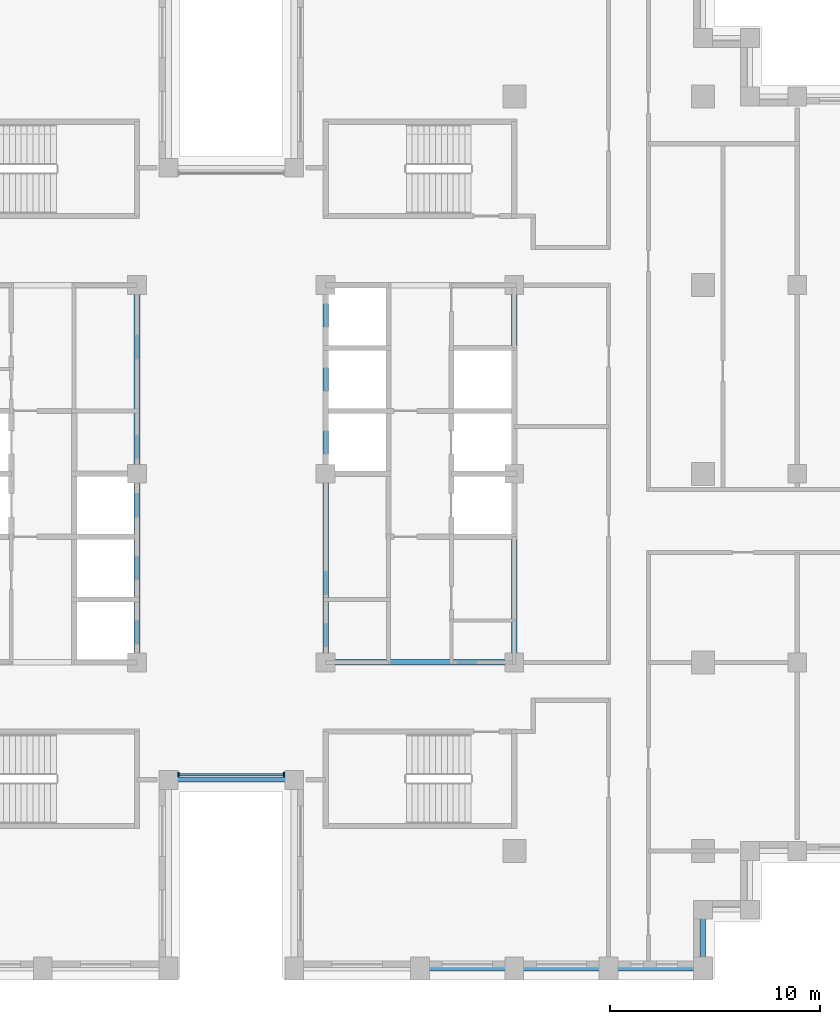
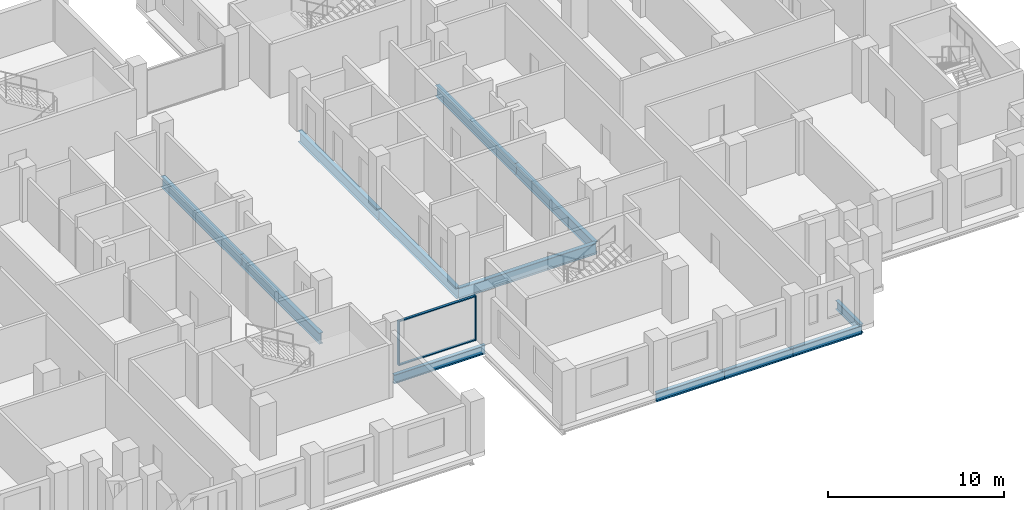
# One storey, part 2 of 16: 12 beams, 4 members, 1 element without a shape of its own.
"""IFC4 building model written with IfcOpenShell, lengths in metres."""

from ifc_helpers import new_model, si_unit, direction, frame, origin, origin_2d, place, context, subcontext, project, spatial, rectangle, i_section, extrude, material, layer, layer_set, material_profile, profile_set, type_object, element, aggregate, save


model = new_model("IFC4")

# Units and contexts
model_context = context("Model", 3, precision=1e-05, world=origin(), true_north=direction((0.0, 1.0)))
body_context = subcontext(model_context, "Body", "Model", "MODEL_VIEW")
ifc_project = project(units=[si_unit("LENGTHUNIT", "METRE"), si_unit("AREAUNIT", "SQUARE_METRE"), si_unit("VOLUMEUNIT", "CUBIC_METRE"), si_unit("PLANEANGLEUNIT", "RADIAN"), si_unit("MASSUNIT", "GRAM", prefix="KILO")], contexts=[model_context])

# Site, building, storey
site_placement = place(None, origin())
site = spatial("IfcSite", under=ifc_project, at=site_placement, CompositionType="ELEMENT")
building_placement = place(site_placement, origin())
building = spatial("IfcBuilding", under=site, at=building_placement, Name="Corbelhall Arena Tower", CompositionType="ELEMENT")
storey_placement = place(building_placement, frame((0.0, 0.0, 158.0)))
storey = spatial("IfcBuildingStorey", under=building, at=storey_placement, Name="L31", CompositionType="ELEMENT", Elevation=158.0)

# Curtain wall, members
ifc_material_1 = material(Name="Aluminium black anodised", Category="aluminium")
ifc_layer = layer(ifc_material_1, 0.199951171875)
ifc_layer_set = layer_set([ifc_layer], Name="EV-CW1 Slot back wall")
curtain_wall_type = type_object("IfcCurtainWallType", Name="EV-CW1 Slot back wall", PredefinedType="NOTDEFINED", material=ifc_layer_set)
curtain_wall_placement = place(storey_placement, origin())
curtain_wall = element("IfcCurtainWall", 1, at=curtain_wall_placement, inside=storey, type_object=curtain_wall_type, Name="Curtain wall CW1", PredefinedType="NOTDEFINED")
ifc_material_profile_1 = material_profile(ifc_material_1, rectangle(XDim=0.199951171875, YDim=0.074951171875, at=origin_2d()))
ifc_profile_set_1 = profile_set([ifc_material_profile_1], Name="Aluminium black anodised")
member_type_1 = type_object("IfcMemberType", Name="EV-CW1-MULLION", PredefinedType="MULLION", material=ifc_profile_set_1)
member_1_placement = place(storey_placement, frame((-2.512451171875, -14.35009765625, 0.0), z_axis=(0.0, 0.0, 1.0), x_axis=(0.0, 1.0, 0.0)))
member_1 = element("IfcMember", 2, at=member_1_placement, type_object=member_type_1, Name="CW1 mullion 1", PredefinedType="MULLION", context=body_context, shape_type="SweptSolid", body=[
    extrude(rectangle(XDim=0.199951171875, YDim=0.074951171875, at=origin_2d()), origin(), (0.0, 0.0, 1.0), 3.10009765625),
])
member_2_placement = place(storey_placement, frame((2.512451171875, -14.35009765625, 0.0), z_axis=(0.0, 0.0, 1.0), x_axis=(0.0, 1.0, 0.0)))
member_2 = element("IfcMember", 3, at=member_2_placement, type_object=member_type_1, Name="CW1 mullion 2", PredefinedType="MULLION", context=body_context, shape_type="SweptSolid", body=[
    extrude(rectangle(XDim=0.199951171875, YDim=0.074951171875, at=origin_2d()), origin(), (0.0, 0.0, 1.0), 3.10009765625),
])
ifc_material_profile_2 = material_profile(ifc_material_1, rectangle(XDim=0.14990234375, YDim=0.074951171875, at=origin_2d()))
ifc_profile_set_2 = profile_set([ifc_material_profile_2], Name="Aluminium black anodised")
member_type_2 = type_object("IfcMemberType", Name="EV-CW1-TRANSOM", PredefinedType="USERDEFINED", material=ifc_profile_set_2)
member_3_placement = place(storey_placement, frame((-2.47509765625, -14.35009765625, 0.03759765625), z_axis=(1.0, 0.0, 0.0), x_axis=(0.0, 1.0, 0.0)))
member_3 = element("IfcMember", 4, at=member_3_placement, type_object=member_type_2, Name="CW1 transom 1.1", ObjectType="transom", PredefinedType="USERDEFINED", context=body_context, shape_type="SweptSolid", body=[
    extrude(rectangle(XDim=0.14990234375, YDim=0.074951171875, at=origin_2d()), origin(), (0.0, 0.0, 1.0), 4.9501953125),
])
member_4_placement = place(storey_placement, frame((-2.47509765625, -14.35009765625, 3.0625), z_axis=(1.0, 0.0, 0.0), x_axis=(0.0, 1.0, 0.0)))
member_4 = element("IfcMember", 5, at=member_4_placement, type_object=member_type_2, Name="CW1 transom 1.2", ObjectType="transom", PredefinedType="USERDEFINED", context=body_context, shape_type="SweptSolid", body=[
    extrude(rectangle(XDim=0.14990234375, YDim=0.074951171875, at=origin_2d()), origin(), (0.0, 0.0, 1.0), 4.9501953125),
])
aggregate(curtain_wall, [member_1, member_2, member_3, member_4])

# Beams
ifc_material_2 = material(Name="Steel ASTM A992 Gr50", Category="steel")
ifc_material_profile_3 = material_profile(ifc_material_2, i_section(OverallWidth=0.2666015625, OverallDepth=0.761962890625, WebThickness=0.014404296875, FlangeThickness=0.021484375, at=origin_2d()))
ifc_profile_set_3 = profile_set([ifc_material_profile_3], Name="Steel ASTM A992 Gr50")
beam_type_1 = type_object("IfcBeamType", Name="ST-BEAM-W30x116", PredefinedType="BEAM", material=ifc_profile_set_3)
for number, where, z_axis, x_axis, name in (
    (6, (-4.5, -9.0, -0.680908203125), (0.0, 1.0, 0.0), (-1.0, 0.0, 0.0), "Beam CEW 3"),
    (7, (-4.5, 0.0, -0.680908203125), (0.0, 1.0, 0.0), (-1.0, 0.0, 0.0), "Beam CEW 4"),
    (8, (4.5, -9.0, -0.680908203125), (0.0, 1.0, 0.0), (-1.0, 0.0, 0.0), "Beam CEE 7"),
    (9, (4.5, 0.0, -0.680908203125), (0.0, 1.0, 0.0), (-1.0, 0.0, 0.0), "Beam CEE 8"),
    (10, (13.5, -9.0, -0.680908203125), (0.0, 1.0, 0.0), (-1.0, 0.0, 0.0), "Beam CEE 9"),
    (11, (13.5, 0.0, -0.680908203125), (0.0, 1.0, 0.0), (-1.0, 0.0, 0.0), "Beam CEE 10"),
    (12, (4.5, -9.0, -0.680908203125), (1.0, 0.0, 0.0), (0.0, 1.0, 0.0), "Beam CEE 11"),
):
    element("IfcBeam", number, at=place(storey_placement, frame(where, z_axis=z_axis, x_axis=x_axis)), inside=storey, type_object=beam_type_1, Name=name, PredefinedType="BEAM", context=body_context, shape_type="SweptSolid", body=[
        extrude(i_section(OverallWidth=0.2666015625, OverallDepth=0.761962890625, WebThickness=0.014404296875, FlangeThickness=0.021484375, at=origin_2d()), origin(), (0.0, 0.0, 1.0), 9.0),
    ])
ifc_material_profile_4 = material_profile(ifc_material_2, i_section(OverallWidth=0.22900390625, OverallDepth=0.612060546875, WebThickness=0.011962890625, FlangeThickness=0.01953125, at=origin_2d()))
ifc_profile_set_4 = profile_set([ifc_material_profile_4], Name="Steel ASTM A992 Gr50")
beam_type_2 = type_object("IfcBeamType", Name="ST-SPANDREL-W24x84", PredefinedType="SPANDREL", material=ifc_profile_set_4)
for number, where, z_axis, x_axis, name in (
    (13, (13.5, -23.60009765625, -0.60595703125), (-1.0, 0.0, 0.0), (0.0, -1.0, 0.0), "Beam SP 29"),
    (14, (18.0, -23.60009765625, -0.60595703125), (-1.0, 0.0, 0.0), (0.0, -1.0, 0.0), "Beam SP 30"),
    (15, (22.5, -23.60009765625, -0.60595703125), (-1.0, 0.0, 0.0), (0.0, -1.0, 0.0), "Beam SP 31"),
):
    element("IfcBeam", number, at=place(storey_placement, frame(where, z_axis=z_axis, x_axis=x_axis)), inside=storey, type_object=beam_type_2, Name=name, PredefinedType="SPANDREL", context=body_context, shape_type="SweptSolid", body=[
        extrude(i_section(OverallWidth=0.22900390625, OverallDepth=0.612060546875, WebThickness=0.011962890625, FlangeThickness=0.01953125, at=origin_2d()), origin(), (0.0, 0.0, 1.0), 4.5),
    ])
beam_1_placement = place(storey_placement, frame((3.0, -14.60009765625, -0.60595703125), z_axis=(-1.0, 0.0, 0.0), x_axis=(0.0, -1.0, 0.0)))
element("IfcBeam", 16, at=beam_1_placement, inside=storey, type_object=beam_type_2, Name="Beam SP 41", PredefinedType="SPANDREL", context=body_context, shape_type="SweptSolid", body=[
    extrude(i_section(OverallWidth=0.22900390625, OverallDepth=0.612060546875, WebThickness=0.011962890625, FlangeThickness=0.01953125, at=origin_2d()), origin(), (0.0, 0.0, 1.0), 6.0),
])
beam_2_placement = place(storey_placement, frame((22.5, -20.800048828125, -0.60595703125), z_axis=(0.0, -1.0, 0.0), x_axis=(1.0, 0.0, 0.0)))
element("IfcBeam", 17, at=beam_2_placement, inside=storey, type_object=beam_type_2, Name="Beam SP 49", PredefinedType="SPANDREL", context=body_context, shape_type="SweptSolid", body=[
    extrude(i_section(OverallWidth=0.22900390625, OverallDepth=0.612060546875, WebThickness=0.011962890625, FlangeThickness=0.01953125, at=origin_2d()), origin(), (0.0, 0.0, 1.0), 2.800048828125),
])

save(model, "model.ifc")
